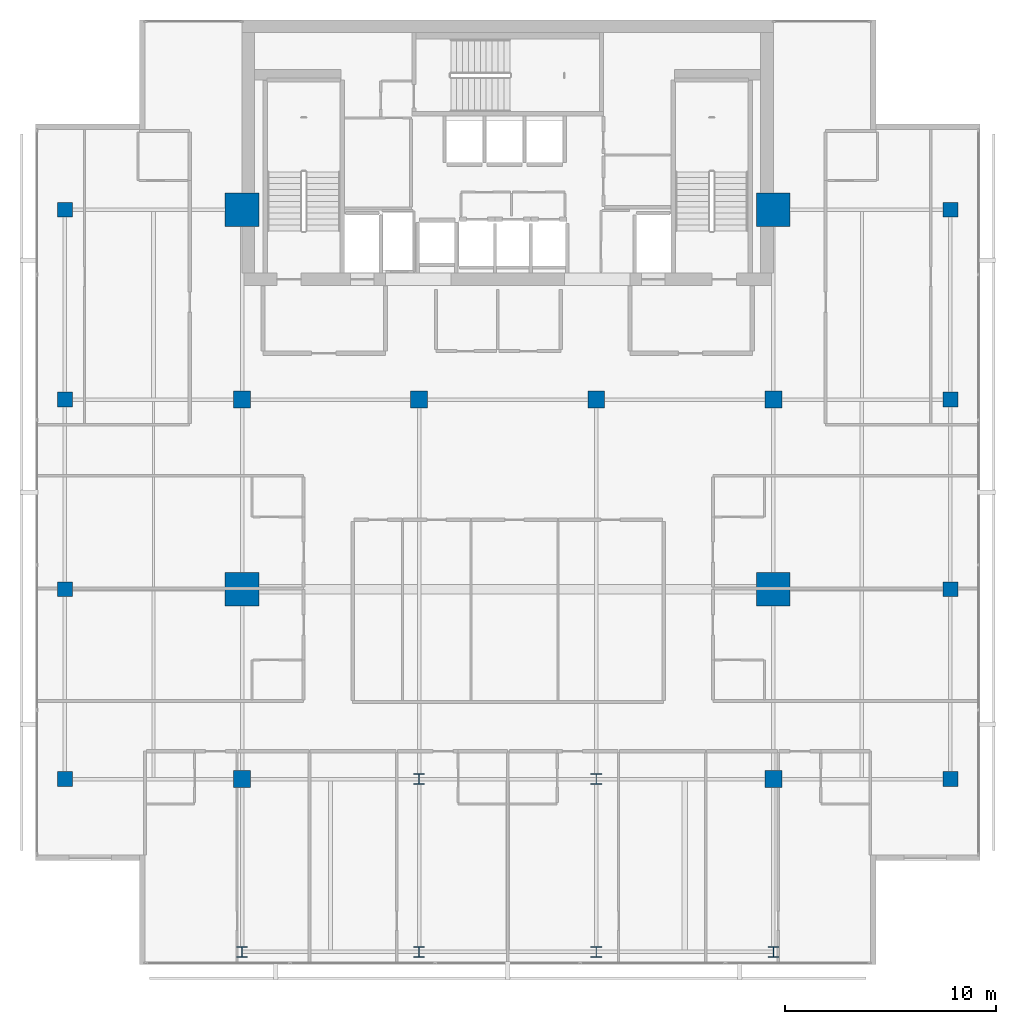
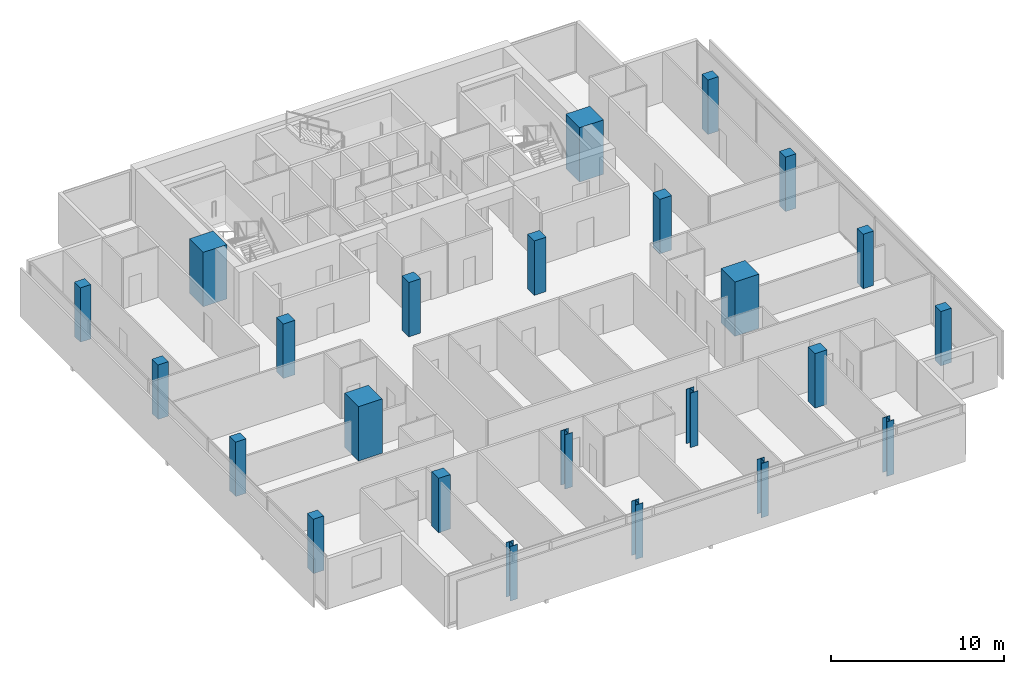
# One storey, part 1 of 26: 24 columns.
"""IFC4 building model written with IfcOpenShell, lengths in metres."""

import ifcopenshell
import ifcopenshell.guid

model = None  # the IFC model being written
_history = None  # IfcOwnerHistory: only IFC2X3 demands one
_inside = {}  # id of a spatial element -> (the spatial element, [elements in it])
_under = {}  # id of a project, library or spatial element -> (it, [spatial elements below it])
_declared = {}  # id of a project -> (the project, [libraries it declares])
_typed = {}  # id of a type object -> (the type object, [elements of that type])
_made_of = {}  # id of a material, layer set ... -> (it, [elements and type objects made of it])


def new_model(schema):
    """Start an empty IFC model of exactly this schema.

    Asked for "IFC4X3", IfcOpenShell would pick the latest addendum, in which some entities
    have other attributes; the version numbers below select the first issue.
    IFC2X3 requires an IfcOwnerHistory on every rooted entity: one is made here for all.
    """
    global model, _history
    if schema == "IFC4X3":
        model = ifcopenshell.file(schema_version=(4, 3, 0, 0))
    else:
        model = ifcopenshell.file(schema=schema)
    _inside.clear()
    _under.clear()
    _declared.clear()
    _typed.clear()
    _made_of.clear()
    _history = None
    if model.schema == "IFC2X3":
        org = make("IfcOrganization", Name="unknown")
        user = make(
            "IfcPersonAndOrganization",
            ThePerson=make("IfcPerson", FamilyName="unknown"),
            TheOrganization=org,
        )
        app = make(
            "IfcApplication",
            ApplicationDeveloper=org,
            Version="unknown",
            ApplicationFullName="unknown",
            ApplicationIdentifier="unknown",
        )
        _history = make(
            "IfcOwnerHistory",
            OwningUser=user,
            OwningApplication=app,
            ChangeAction="ADDED",
            CreationDate=0,
        )
    return model


def make(cls, **values):
    """One entity of the class cls with the attributes given. An attribute that is None is left unset."""
    return model.create_entity(
        cls, **{name: value for name, value in values.items() if value is not None}
    )


def rooted(cls, **values):
    """An entity with a GlobalId (a new one), such as an element, a storey or a relation."""
    return make(cls, GlobalId=ifcopenshell.guid.new(), OwnerHistory=_history, **values)


def si_unit(unit_type, name, prefix=None):
    """IfcSIUnit, for example si_unit("LENGTHUNIT", "METRE", prefix="MILLI")."""
    return make("IfcSIUnit", UnitType=unit_type, Prefix=prefix, Name=name)


def assignment(units):
    """IfcUnitAssignment: the units of a project."""
    return None if units is None else make("IfcUnitAssignment", Units=units)


def point(xyz):
    """IfcCartesianPoint."""
    return None if xyz is None else make("IfcCartesianPoint", Coordinates=xyz)


def direction(xyz):
    """IfcDirection."""
    return None if xyz is None else make("IfcDirection", DirectionRatios=xyz)


def frame(location, z_axis=None, x_axis=None):
    """IfcAxis2Placement3D, a coordinate frame: its origin and axes. An axis left out is left unset."""
    return make(
        "IfcAxis2Placement3D",
        Location=point(location),
        Axis=direction(z_axis),
        RefDirection=direction(x_axis),
    )


def frame_2d(location, x_axis=None):
    """IfcAxis2Placement2D, a coordinate frame in the plane: its origin and x axis."""
    return make(
        "IfcAxis2Placement2D", Location=point(location), RefDirection=direction(x_axis)
    )


def origin():
    """The frame at (0, 0, 0) with its axes left unset."""
    return frame((0.0, 0.0, 0.0))


def origin_2d():
    """The frame at (0, 0) in the plane with its x axis left unset."""
    return frame_2d((0.0, 0.0))


def place(relative_to, where):
    """IfcLocalPlacement: puts the frame where relative to a parent placement (None: the world)."""
    return make(
        "IfcLocalPlacement", PlacementRelTo=relative_to, RelativePlacement=where
    )


def context(
    kind, dimensions, precision=None, world=None, true_north=None, identifier=None
):
    """IfcGeometricRepresentationContext, for example the 3D "Model" context."""
    return make(
        "IfcGeometricRepresentationContext",
        ContextIdentifier=identifier,
        ContextType=kind,
        CoordinateSpaceDimension=dimensions,
        Precision=precision,
        WorldCoordinateSystem=world,
        TrueNorth=true_north,
    )


def subcontext(parent, identifier, kind, view, scale=None):
    """IfcGeometricRepresentationSubContext, for example "Body" below "Model"."""
    return make(
        "IfcGeometricRepresentationSubContext",
        ContextIdentifier=identifier,
        ContextType=kind,
        ParentContext=parent,
        TargetScale=scale,
        TargetView=view,
    )


def project(units=None, contexts=None):
    """IfcProject with its units and contexts."""
    return rooted(
        "IfcProject",
        Name="project",
        RepresentationContexts=contexts,
        UnitsInContext=assignment(units),
    )


def spatial(cls, under=None, at=None, **own):
    """A site, building, storey or space (cls), placed at a placement, below another one or the project."""
    s = rooted(cls, ObjectPlacement=at, **own)
    if under is not None:
        _under.setdefault(under.id(), (under, []))[1].append(s)
    return s


def profile(cls, at=None, kind="AREA", **sizes):
    """A parametric profile (cls). Its sizes go by their IFC names, for example OverallWidth=200.0."""
    return make(cls, ProfileType=kind, Position=at, **sizes)


def rectangle(**sizes):
    """IfcRectangleProfileDef."""
    return profile("IfcRectangleProfileDef", **sizes)


def i_section(**sizes):
    """IfcIShapeProfileDef."""
    return profile("IfcIShapeProfileDef", **sizes)


def extrude(swept, where, along, depth):
    """IfcExtrudedAreaSolid: the profile swept, set in the frame where, extruded along a direction by depth."""
    return make(
        "IfcExtrudedAreaSolid",
        SweptArea=swept,
        Position=where,
        ExtrudedDirection=direction(along),
        Depth=depth,
    )


def shape(context_of_items, identifier, shape_type, items):
    """IfcShapeRepresentation: the items that make up one representation, for example the "Body"."""
    return make(
        "IfcShapeRepresentation",
        ContextOfItems=context_of_items,
        RepresentationIdentifier=identifier,
        RepresentationType=shape_type,
        Items=items,
    )


def material(Name=None, Category=None):
    """IfcMaterial."""
    return make("IfcMaterial", Name=Name, Category=Category)


def material_profile(
    of_material, cross_section, Name=None, Category=None, Priority=None
):
    """IfcMaterialProfile: a cross section and its material."""
    return make(
        "IfcMaterialProfile",
        Name=Name,
        Material=of_material,
        Profile=cross_section,
        Priority=Priority,
        Category=Category,
    )


def profile_set(profiles, Name=None, composite=None):
    """IfcMaterialProfileSet."""
    return make(
        "IfcMaterialProfileSet",
        Name=Name,
        MaterialProfiles=profiles,
        CompositeProfile=composite,
    )


def made_of(thing, what):
    """Note that an element or type object is made of a material, layer set ...; save() writes the relation."""
    if what is not None:
        _made_of.setdefault(what.id(), (what, []))[1].append(thing)
    return thing


def type_object(cls, material=None, **own):
    """A type object (cls), such as IfcWallType, which elements share."""
    return made_of(rooted(cls, **own), material)


def element(
    cls,
    number,
    at=None,
    inside=None,
    cuts=None,
    type_object=None,
    material=None,
    context=None,
    identifier="Body",
    shape_type=None,
    held_by="IfcProductDefinitionShape",
    body=None,
    shapes=None,
    **own,
):
    """One element of the class cls, such as IfcWall. Its Tag is "e" and its number.

    at: its placement. inside: the storey or other place that contains it. cuts: it is an
    opening in that element (IfcRelVoidsElement). A single representation is given by context,
    identifier, shape_type and body (its items); several are given by shapes. held_by: the class
    of the entity that holds the representations. save() writes the other relations.
    """
    e = rooted(cls, Tag="e%d" % number, ObjectPlacement=at, **own)
    if body is not None:
        shapes = [shape(context, identifier, shape_type, body)]
    if shapes is not None:
        e.Representation = make(held_by, Representations=shapes)
    if inside is not None:
        _inside.setdefault(inside.id(), (inside, []))[1].append(e)
    if cuts is not None:
        rooted(
            "IfcRelVoidsElement", RelatingBuildingElement=cuts, RelatedOpeningElement=e
        )
    if type_object is not None:
        _typed.setdefault(type_object.id(), (type_object, []))[1].append(e)
    return made_of(e, material)


def aggregate(whole, parts):
    """IfcRelAggregates: a whole, such as a stair, and the parts it consists of."""
    return rooted("IfcRelAggregates", RelatingObject=whole, RelatedObjects=parts)


def save(model, path):
    """Write the relations noted so far, then the file.

    IfcRelAggregates (storeys below a building ...), IfcRelContainedInSpatialStructure (elements
    in a storey), IfcRelDefinesByType, IfcRelAssociatesMaterial and IfcRelDeclares: one each for
    every whole, place, type object, material and project.
    """
    for whole, parts in _under.values():
        aggregate(whole, parts)
    for where, things in _inside.values():
        rooted(
            "IfcRelContainedInSpatialStructure",
            RelatedElements=things,
            RelatingStructure=where,
        )
    for kind, things in _typed.values():
        rooted("IfcRelDefinesByType", RelatedObjects=things, RelatingType=kind)
    for what, things in _made_of.values():
        rooted("IfcRelAssociatesMaterial", RelatedObjects=things, RelatingMaterial=what)
    for by, libraries in _declared.values():
        rooted("IfcRelDeclares", RelatingContext=by, RelatedDefinitions=libraries)
    model.write(path)


model = new_model("IFC4")

# Units and contexts
model_context = context("Model", 3, precision=1e-05, world=origin(), true_north=direction((0.0, 1.0)))
body_context = subcontext(model_context, "Body", "Model", "MODEL_VIEW")
ifc_project = project(units=[si_unit("LENGTHUNIT", "METRE"), si_unit("AREAUNIT", "SQUARE_METRE"), si_unit("VOLUMEUNIT", "CUBIC_METRE"), si_unit("PLANEANGLEUNIT", "RADIAN"), si_unit("MASSUNIT", "GRAM", prefix="KILO")], contexts=[model_context])

# Site, building, storey
site_placement = place(None, origin())
site = spatial("IfcSite", under=ifc_project, at=site_placement, CompositionType="ELEMENT")
building_placement = place(site_placement, origin())
building = spatial("IfcBuilding", under=site, at=building_placement, Name="Maruvema Waterfront Hotel and Observation Tower", CompositionType="ELEMENT")
storey_placement = place(building_placement, frame((0.0, 0.0, 312.550048828125)))
storey = spatial("IfcBuildingStorey", under=building, at=storey_placement, Name="L77", CompositionType="ELEMENT", Elevation=312.550048828125)

# Columns
ifc_material_1 = material(Name="Concrete C70/85", Category="concrete")
ifc_material_profile_1 = material_profile(ifc_material_1, rectangle(XDim=1.60009765625, YDim=1.60009765625, at=origin_2d()), Name="MC1600x1600")
ifc_profile_set_1 = profile_set([ifc_material_profile_1], Name="Concrete C70/85")
column_type_1 = type_object("IfcColumnType", Name="Continuous Mega-Column MC1600x1600", PredefinedType="COLUMN", material=ifc_profile_set_1)
for number, where, z_axis, x_axis, name in (
    (1, (25.199951171875, 27.0, 0.0), (0.0, 0.0, 1.0), (1.0, 0.0, 0.0), "L77 Continuous Mega-Column MC-01"),
    (2, (50.39990234375, 27.0, 0.0), (0.0, 0.0, 1.0), (1.0, 0.0, 0.0), "L77 Continuous Mega-Column MC-02"),
    (3, (25.199951171875, 45.0, 0.0), (0.0, 0.0, 1.0), (1.0, 0.0, 0.0), "L77 Continuous Mega-Column MC-03"),
    (4, (50.39990234375, 45.0, 0.0), (0.0, 0.0, 1.0), (1.0, 0.0, 0.0), "L77 Continuous Mega-Column MC-04"),
):
    element("IfcColumn", number, at=place(storey_placement, frame(where, z_axis=z_axis, x_axis=x_axis)), inside=storey, type_object=column_type_1, Name=name, PredefinedType="COLUMN", context=body_context, shape_type="SweptSolid", body=[
        extrude(rectangle(XDim=1.60009765625, YDim=1.60009765625, at=origin_2d()), origin(), (0.0, 0.0, 1.0), 3.849853515625),
    ])
ifc_material_2 = material(Name="Concrete C60/75", Category="concrete")
ifc_material_profile_2 = material_profile(ifc_material_2, rectangle(XDim=0.699951171875, YDim=0.699951171875, at=origin_2d()), Name="RC700x700")
ifc_profile_set_2 = profile_set([ifc_material_profile_2], Name="Concrete C60/75")
column_type_2 = type_object("IfcColumnType", Name="Reinforced Concrete Column RC700x700", PredefinedType="COLUMN", material=ifc_profile_set_2)
for number, where, z_axis, x_axis, name in (
    (5, (16.800048828125, 18.0, 0.0), (0.0, 0.0, 1.0), (1.0, 0.0, 0.0), "L77 Column C-3Y18"),
    (6, (58.800048828125, 18.0, 0.0), (0.0, 0.0, 1.0), (1.0, 0.0, 0.0), "L77 Column C-8Y18"),
    (7, (16.800048828125, 27.0, 0.0), (0.0, 0.0, 1.0), (1.0, 0.0, 0.0), "L77 Column C-3Y27"),
    (8, (58.800048828125, 27.0, 0.0), (0.0, 0.0, 1.0), (1.0, 0.0, 0.0), "L77 Column C-8Y27"),
    (9, (16.800048828125, 36.0, 0.0), (0.0, 0.0, 1.0), (1.0, 0.0, 0.0), "L77 Column C-3Y36"),
    (10, (58.800048828125, 36.0, 0.0), (0.0, 0.0, 1.0), (1.0, 0.0, 0.0), "L77 Column C-8Y36"),
    (11, (16.800048828125, 45.0, 0.0), (0.0, 0.0, 1.0), (1.0, 0.0, 0.0), "L77 Column C-3Y45"),
    (12, (58.800048828125, 45.0, 0.0), (0.0, 0.0, 1.0), (1.0, 0.0, 0.0), "L77 Column C-8Y45"),
):
    element("IfcColumn", number, at=place(storey_placement, frame(where, z_axis=z_axis, x_axis=x_axis)), inside=storey, type_object=column_type_2, Name=name, PredefinedType="COLUMN", context=body_context, shape_type="SweptSolid", body=[
        extrude(rectangle(XDim=0.699951171875, YDim=0.699951171875, at=origin_2d()), origin(), (0.0, 0.0, 1.0), 3.849853515625),
    ])
ifc_material_3 = material(Name="Concrete C60/75", Category="concrete")
ifc_material_profile_3 = material_profile(ifc_material_3, rectangle(XDim=0.800048828125, YDim=0.800048828125, at=origin_2d()), Name="RC800x800")
ifc_profile_set_3 = profile_set([ifc_material_profile_3], Name="Concrete C60/75")
column_type_3 = type_object("IfcColumnType", Name="Reinforced Concrete Column RC800x800", PredefinedType="COLUMN", material=ifc_profile_set_3)
for number, where, z_axis, x_axis, name in (
    (13, (25.199951171875, 36.0, 0.0), (0.0, 0.0, 1.0), (1.0, 0.0, 0.0), "L77 Column C-4E"),
    (14, (33.60009765625, 36.0, 0.0), (0.0, 0.0, 1.0), (1.0, 0.0, 0.0), "L77 Column C-5E"),
    (15, (42.0, 36.0, 0.0), (0.0, 0.0, 1.0), (1.0, 0.0, 0.0), "L77 Column C-6E"),
    (16, (50.39990234375, 36.0, 0.0), (0.0, 0.0, 1.0), (1.0, 0.0, 0.0), "L77 Column C-7E"),
    (17, (25.199951171875, 18.0, 0.0), (0.0, 0.0, 1.0), (1.0, 0.0, 0.0), "L77 Column C-4C"),
    (18, (50.39990234375, 18.0, 0.0), (0.0, 0.0, 1.0), (1.0, 0.0, 0.0), "L77 Column C-7C"),
):
    element("IfcColumn", number, at=place(storey_placement, frame(where, z_axis=z_axis, x_axis=x_axis)), inside=storey, type_object=column_type_3, Name=name, PredefinedType="COLUMN", context=body_context, shape_type="SweptSolid", body=[
        extrude(rectangle(XDim=0.800048828125, YDim=0.800048828125, at=origin_2d()), origin(), (0.0, 0.0, 1.0), 3.849853515625),
    ])
ifc_material_4 = material(Name="Steel ABNT NBR 7007 AR 415 (ASTM A572 Grade 50)", Category="steel")
ifc_material_profile_4 = material_profile(ifc_material_4, i_section(OverallWidth=0.5, OverallDepth=0.5, WebThickness=0.02197265625, FlangeThickness=0.031982421875, at=origin_2d()), Name="CVS500x223")
ifc_profile_set_4 = profile_set([ifc_material_profile_4], Name="Steel ABNT NBR 7007 AR 415 (ASTM A572 Grade 50)")
column_type_4 = type_object("IfcColumnType", Name="Structural Steel Column CVS500x223", PredefinedType="COLUMN", material=ifc_profile_set_4)
for number, where, z_axis, x_axis, name in (
    (19, (33.60009765625, 18.0, 0.0), (0.0, 0.0, 1.0), (1.0, 0.0, 0.0), "L77 Column C-5C"),
    (20, (42.0, 18.0, 0.0), (0.0, 0.0, 1.0), (1.0, 0.0, 0.0), "L77 Column C-6C"),
    (21, (25.199951171875, 9.800048828125, 0.0), (0.0, 0.0, 1.0), (1.0, 0.0, 0.0), "L77 Column C-Z3S4"),
    (22, (33.60009765625, 9.800048828125, 0.0), (0.0, 0.0, 1.0), (1.0, 0.0, 0.0), "L77 Column C-Z3S5"),
    (23, (42.0, 9.800048828125, 0.0), (0.0, 0.0, 1.0), (1.0, 0.0, 0.0), "L77 Column C-Z3S6"),
    (24, (50.39990234375, 9.800048828125, 0.0), (0.0, 0.0, 1.0), (1.0, 0.0, 0.0), "L77 Column C-Z3S7"),
):
    element("IfcColumn", number, at=place(storey_placement, frame(where, z_axis=z_axis, x_axis=x_axis)), inside=storey, type_object=column_type_4, Name=name, PredefinedType="COLUMN", context=body_context, shape_type="SweptSolid", body=[
        extrude(i_section(OverallWidth=0.5, OverallDepth=0.5, WebThickness=0.02197265625, FlangeThickness=0.031982421875, at=origin_2d()), origin(), (0.0, 0.0, 1.0), 3.849853515625),
    ])

save(model, "model.ifc")
